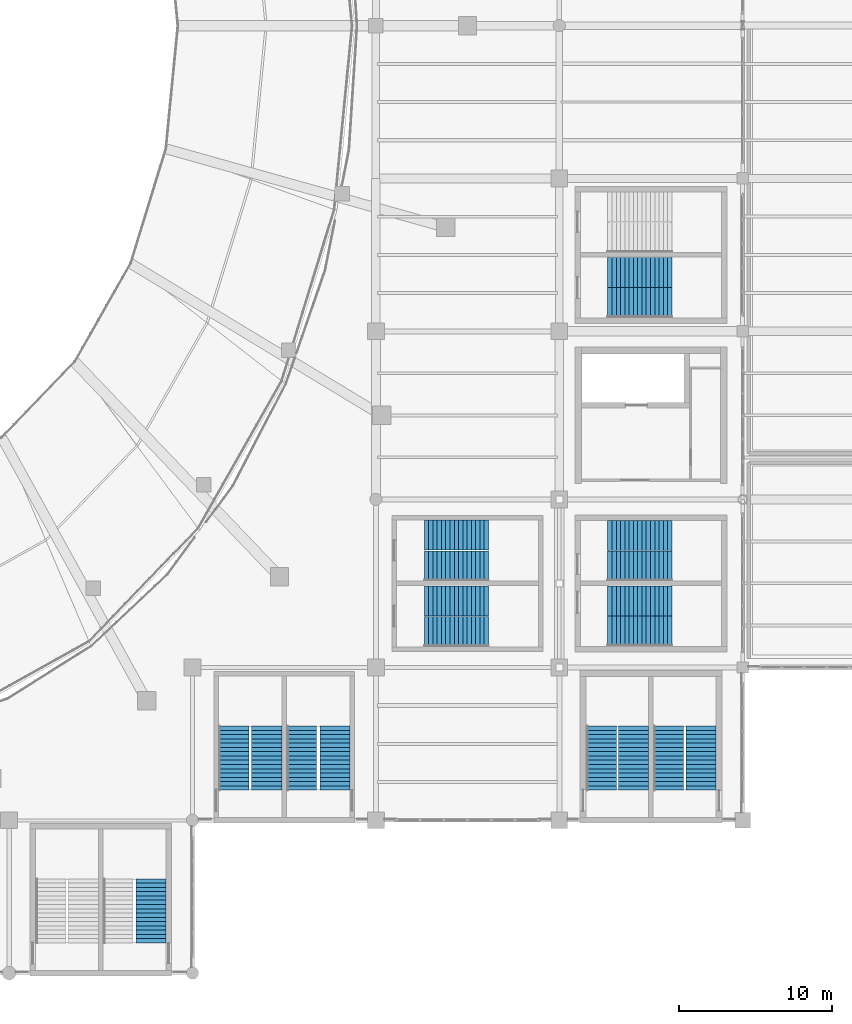
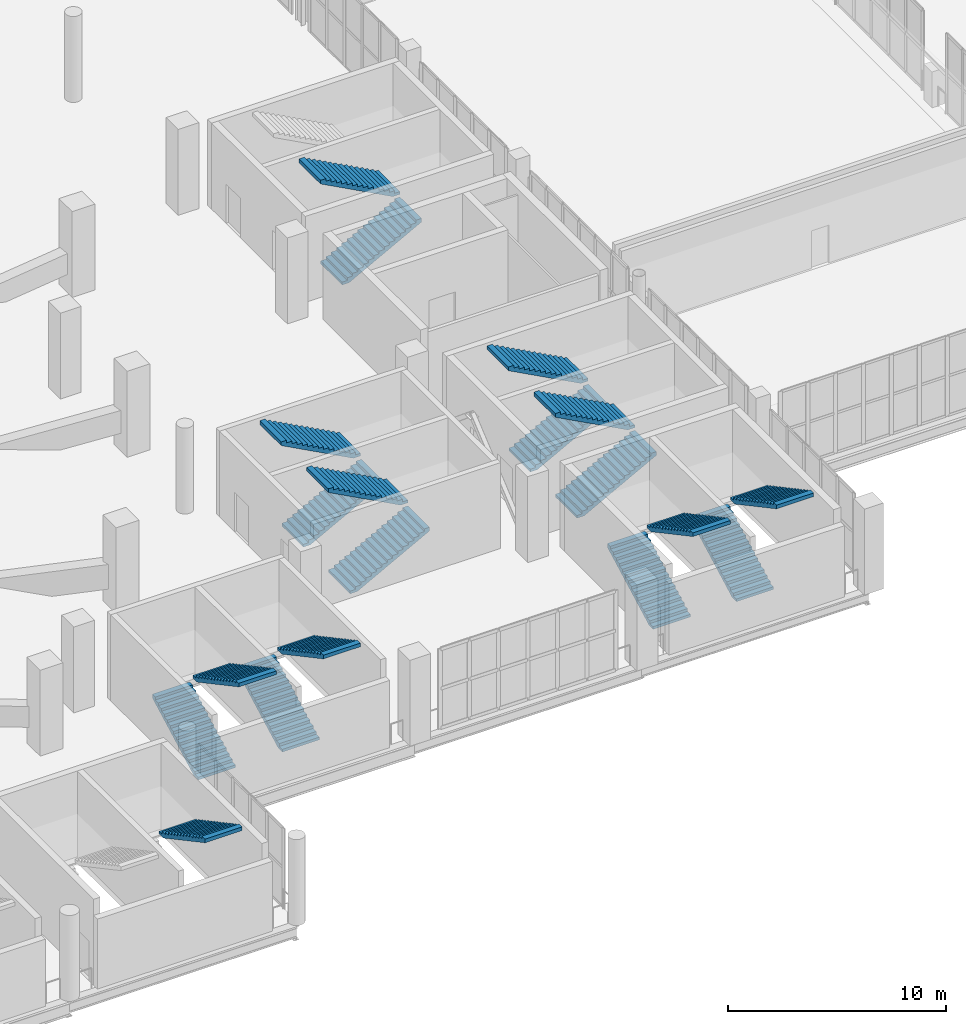
# One storey, part 117 of 136: 19 stair flights, 10 elements without a shape of their own.
"""IFC4 building model written with IfcOpenShell, lengths in metres."""

from ifc_helpers import new_model, si_unit, direction, frame, origin, place, context, subcontext, project, spatial, polyline, outline, extrude, material, layer, layer_set, type_object, element, aggregate, save


model = new_model("IFC4")

# Units and contexts
model_context = context("Model", 3, precision=1e-05, world=origin(), true_north=direction((0.0, 1.0)))
body_context = subcontext(model_context, "Body", "Model", "MODEL_VIEW")
ifc_project = project(units=[si_unit("LENGTHUNIT", "METRE"), si_unit("AREAUNIT", "SQUARE_METRE"), si_unit("VOLUMEUNIT", "CUBIC_METRE"), si_unit("PLANEANGLEUNIT", "RADIAN"), si_unit("MASSUNIT", "GRAM", prefix="KILO")], contexts=[model_context])

# Site, building, storey
site_placement = place(None, origin())
site = spatial("IfcSite", under=ifc_project, at=site_placement, CompositionType="ELEMENT")
building_placement = place(site_placement, origin())
building = spatial("IfcBuilding", under=site, at=building_placement, Name="Brinegate Civic Arena", CompositionType="ELEMENT")
storey_placement = place(building_placement, frame((0.0, 0.0, 5.39990234375)))
storey = spatial("IfcBuildingStorey", under=building, at=storey_placement, Name="L01", CompositionType="ELEMENT", Elevation=5.39990234375)

# Stair, stair flight
ifc_material = material(Name="Concrete C40/50", Category="concrete")
stair_type_1 = type_object("IfcStairType", Name="STAIR-EXIT-3700", PredefinedType="HALF_TURN_STAIR", material=ifc_material)
stair_1_placement = place(storey_placement, origin())
stair_1 = element("IfcStair", 1, at=stair_1_placement, inside=storey, type_object=stair_type_1, Name="Protected Exit Stair ST-04B (L01)", PredefinedType="HALF_TURN_STAIR")
ifc_layer_1 = layer(ifc_material, 0.179931640625, Name="Concrete C40/50")
ifc_layer_set_1 = layer_set([ifc_layer_1], Name="Concrete C40/50")
stair_flight_type_1 = type_object("IfcStairFlightType", Name="FLIGHT-EXIT-3700", PredefinedType="STRAIGHT", material=ifc_layer_set_1)
stair_flight_1_placement = place(storey_placement, frame((129.280029296875, 6.169921875, 2.400146484375), z_axis=(0.0, 0.0, 1.0), x_axis=(0.0, -1.0, 0.0)))
stair_flight_1 = element("IfcStairFlight", 2, at=stair_flight_1_placement, type_object=stair_flight_type_1, Name="ST-04B flight 2", NumberOfRisers=16, NumberOfTreads=15, PredefinedType="STRAIGHT", RiserHeight=0.15, TreadLength=0.28, context=body_context, shape_type="SweptSolid", body=[
    extrude(outline(polyline([(0.0, 0.0), (0.0, 0.14990234375), (0.280029296875, 0.14990234375), (0.280029296875, 0.300048828125), (0.56005859375, 0.300048828125), (0.56005859375, 0.449951171875), (0.840087890625, 0.449951171875), (0.840087890625, 0.60009765625), (1.1201171875, 0.60009765625), (1.1201171875, 0.75), (1.39990234375, 0.75), (1.39990234375, 0.89990234375), (1.679931640625, 0.89990234375), (1.679931640625, 1.050048828125), (1.9599609375, 1.050048828125), (1.9599609375, 1.199951171875), (2.239990234375, 1.199951171875), (2.239990234375, 1.35009765625), (2.52001953125, 1.35009765625), (2.52001953125, 1.5), (2.800048828125, 1.5), (2.800048828125, 1.64990234375), (3.080078125, 1.64990234375), (3.080078125, 1.800048828125), (3.360107421875, 1.800048828125), (3.360107421875, 1.949951171875), (3.639892578125, 1.949951171875), (3.639892578125, 2.10009765625), (3.919921875, 2.10009765625), (3.919921875, 2.25), (4.199951171875, 2.25), (4.199951171875, 2.39990234375), (4.199951171875, 2.0458984375), (0.381103515625, 0.0), (0.0, 0.0)])), frame((0.0, 0.97998046875, 0.0), z_axis=(0.0, -1.0, 0.0), x_axis=(1.0, 0.0, 0.0)), (0.0, 0.0, 1.0), 1.9599609375),
])
aggregate(stair_1, [stair_flight_1])

# Stair, stair flights
stair_2_placement = place(storey_placement, origin())
stair_2 = element("IfcStair", 3, at=stair_2_placement, inside=storey, type_object=stair_type_1, Name="Protected Exit Stair ST-06B (L01)", PredefinedType="HALF_TURN_STAIR")
stair_flight_2_placement = place(storey_placement, frame((163.139892578125, 11.969970703125, 0.0), z_axis=(0.0, 0.0, 1.0), x_axis=(0.0, 1.0, 0.0)))
stair_flight_2 = element("IfcStairFlight", 4, at=stair_flight_2_placement, type_object=stair_flight_type_1, Name="ST-06B flight 1", NumberOfRisers=16, NumberOfTreads=15, PredefinedType="STRAIGHT", RiserHeight=0.15, TreadLength=0.28, context=body_context, shape_type="SweptSolid", body=[
    extrude(outline(polyline([(0.0, 0.0), (0.0, 0.14990234375), (0.280029296875, 0.14990234375), (0.280029296875, 0.300048828125), (0.56005859375, 0.300048828125), (0.56005859375, 0.449951171875), (0.840087890625, 0.449951171875), (0.840087890625, 0.60009765625), (1.1201171875, 0.60009765625), (1.1201171875, 0.75), (1.39990234375, 0.75), (1.39990234375, 0.89990234375), (1.679931640625, 0.89990234375), (1.679931640625, 1.050048828125), (1.9599609375, 1.050048828125), (1.9599609375, 1.199951171875), (2.239990234375, 1.199951171875), (2.239990234375, 1.35009765625), (2.52001953125, 1.35009765625), (2.52001953125, 1.5), (2.800048828125, 1.5), (2.800048828125, 1.64990234375), (3.080078125, 1.64990234375), (3.080078125, 1.800048828125), (3.360107421875, 1.800048828125), (3.360107421875, 1.949951171875), (3.639892578125, 1.949951171875), (3.639892578125, 2.10009765625), (3.919921875, 2.10009765625), (3.919921875, 2.25), (4.199951171875, 2.25), (4.199951171875, 2.39990234375), (4.199951171875, 2.0458984375), (0.381103515625, 0.0), (0.0, 0.0)])), frame((0.0, 0.97998046875, 0.0), z_axis=(0.0, -1.0, 0.0), x_axis=(1.0, 0.0, 0.0)), (0.0, 0.0, 1.0), 1.9599609375),
])
stair_flight_3_placement = place(storey_placement, frame((165.260009765625, 16.169921875, 2.400146484375), z_axis=(0.0, 0.0, 1.0), x_axis=(0.0, -1.0, 0.0)))
stair_flight_3 = element("IfcStairFlight", 5, at=stair_flight_3_placement, type_object=stair_flight_type_1, Name="ST-06B flight 2", NumberOfRisers=16, NumberOfTreads=15, PredefinedType="STRAIGHT", RiserHeight=0.15, TreadLength=0.28, context=body_context, shape_type="SweptSolid", body=[
    extrude(outline(polyline([(0.0, 0.0), (0.0, 0.14990234375), (0.280029296875, 0.14990234375), (0.280029296875, 0.300048828125), (0.56005859375, 0.300048828125), (0.56005859375, 0.449951171875), (0.840087890625, 0.449951171875), (0.840087890625, 0.60009765625), (1.1201171875, 0.60009765625), (1.1201171875, 0.75), (1.39990234375, 0.75), (1.39990234375, 0.89990234375), (1.679931640625, 0.89990234375), (1.679931640625, 1.050048828125), (1.9599609375, 1.050048828125), (1.9599609375, 1.199951171875), (2.239990234375, 1.199951171875), (2.239990234375, 1.35009765625), (2.52001953125, 1.35009765625), (2.52001953125, 1.5), (2.800048828125, 1.5), (2.800048828125, 1.64990234375), (3.080078125, 1.64990234375), (3.080078125, 1.800048828125), (3.360107421875, 1.800048828125), (3.360107421875, 1.949951171875), (3.639892578125, 1.949951171875), (3.639892578125, 2.10009765625), (3.919921875, 2.10009765625), (3.919921875, 2.25), (4.199951171875, 2.25), (4.199951171875, 2.39990234375), (4.199951171875, 2.0458984375), (0.381103515625, 0.0), (0.0, 0.0)])), frame((0.0, 0.97998046875, 0.0), z_axis=(0.0, -1.0, 0.0), x_axis=(1.0, 0.0, 0.0)), (0.0, 0.0, 1.0), 1.9599609375),
])
aggregate(stair_2, [stair_flight_2, stair_flight_3])

stair_3_placement = place(storey_placement, origin())
stair_3 = element("IfcStair", 6, at=stair_3_placement, inside=storey, type_object=stair_type_1, Name="Protected Exit Stair ST-14B (L01)", PredefinedType="HALF_TURN_STAIR")
stair_flight_4_placement = place(storey_placement, frame((139.139892578125, 11.969970703125, 0.0), z_axis=(0.0, 0.0, 1.0), x_axis=(0.0, 1.0, 0.0)))
stair_flight_4 = element("IfcStairFlight", 7, at=stair_flight_4_placement, type_object=stair_flight_type_1, Name="ST-14B flight 1", NumberOfRisers=16, NumberOfTreads=15, PredefinedType="STRAIGHT", RiserHeight=0.15, TreadLength=0.28, context=body_context, shape_type="SweptSolid", body=[
    extrude(outline(polyline([(0.0, 0.0), (0.0, 0.14990234375), (0.280029296875, 0.14990234375), (0.280029296875, 0.300048828125), (0.56005859375, 0.300048828125), (0.56005859375, 0.449951171875), (0.840087890625, 0.449951171875), (0.840087890625, 0.60009765625), (1.1201171875, 0.60009765625), (1.1201171875, 0.75), (1.39990234375, 0.75), (1.39990234375, 0.89990234375), (1.679931640625, 0.89990234375), (1.679931640625, 1.050048828125), (1.9599609375, 1.050048828125), (1.9599609375, 1.199951171875), (2.239990234375, 1.199951171875), (2.239990234375, 1.35009765625), (2.52001953125, 1.35009765625), (2.52001953125, 1.5), (2.800048828125, 1.5), (2.800048828125, 1.64990234375), (3.080078125, 1.64990234375), (3.080078125, 1.800048828125), (3.360107421875, 1.800048828125), (3.360107421875, 1.949951171875), (3.639892578125, 1.949951171875), (3.639892578125, 2.10009765625), (3.919921875, 2.10009765625), (3.919921875, 2.25), (4.199951171875, 2.25), (4.199951171875, 2.39990234375), (4.199951171875, 2.0458984375), (0.381103515625, 0.0), (0.0, 0.0)])), frame((0.0, 0.97998046875, 0.0), z_axis=(0.0, -1.0, 0.0), x_axis=(1.0, 0.0, 0.0)), (0.0, 0.0, 1.0), 1.9599609375),
])
stair_flight_5_placement = place(storey_placement, frame((141.31005859375, 16.169921875, 2.400146484375), z_axis=(0.0, 0.0, 1.0), x_axis=(0.0, -1.0, 0.0)))
stair_flight_5 = element("IfcStairFlight", 8, at=stair_flight_5_placement, type_object=stair_flight_type_1, Name="ST-14B flight 2", NumberOfRisers=16, NumberOfTreads=15, PredefinedType="STRAIGHT", RiserHeight=0.15, TreadLength=0.28, context=body_context, shape_type="SweptSolid", body=[
    extrude(outline(polyline([(0.0, 0.0), (0.0, 0.14990234375), (0.280029296875, 0.14990234375), (0.280029296875, 0.300048828125), (0.56005859375, 0.300048828125), (0.56005859375, 0.449951171875), (0.840087890625, 0.449951171875), (0.840087890625, 0.60009765625), (1.1201171875, 0.60009765625), (1.1201171875, 0.75), (1.39990234375, 0.75), (1.39990234375, 0.89990234375), (1.679931640625, 0.89990234375), (1.679931640625, 1.050048828125), (1.9599609375, 1.050048828125), (1.9599609375, 1.199951171875), (2.239990234375, 1.199951171875), (2.239990234375, 1.35009765625), (2.52001953125, 1.35009765625), (2.52001953125, 1.5), (2.800048828125, 1.5), (2.800048828125, 1.64990234375), (3.080078125, 1.64990234375), (3.080078125, 1.800048828125), (3.360107421875, 1.800048828125), (3.360107421875, 1.949951171875), (3.639892578125, 1.949951171875), (3.639892578125, 2.10009765625), (3.919921875, 2.10009765625), (3.919921875, 2.25), (4.199951171875, 2.25), (4.199951171875, 2.39990234375), (4.199951171875, 2.0458984375), (0.381103515625, 0.0), (0.0, 0.0)])), frame((0.0, 0.97998046875, 0.0), z_axis=(0.0, -1.0, 0.0), x_axis=(1.0, 0.0, 0.0)), (0.0, 0.0, 1.0), 1.9599609375),
])
aggregate(stair_3, [stair_flight_4, stair_flight_5])

stair_4_placement = place(storey_placement, origin())
stair_4 = element("IfcStair", 9, at=stair_4_placement, inside=storey, type_object=stair_type_1, Name="Protected Exit Stair ST-17B (L01)", PredefinedType="HALF_TURN_STAIR")
stair_flight_6_placement = place(storey_placement, frame((147.169921875, 26.639892578125, 0.0), z_axis=(0.0, 0.0, 1.0), x_axis=(1.0, 0.0, 0.0)))
stair_flight_6 = element("IfcStairFlight", 10, at=stair_flight_6_placement, type_object=stair_flight_type_1, Name="ST-17B flight 1", NumberOfRisers=16, NumberOfTreads=15, PredefinedType="STRAIGHT", RiserHeight=0.15, TreadLength=0.28, context=body_context, shape_type="SweptSolid", body=[
    extrude(outline(polyline([(0.0, 0.0), (0.0, 0.14990234375), (0.280029296875, 0.14990234375), (0.280029296875, 0.300048828125), (0.56005859375, 0.300048828125), (0.56005859375, 0.449951171875), (0.840087890625, 0.449951171875), (0.840087890625, 0.60009765625), (1.1201171875, 0.60009765625), (1.1201171875, 0.75), (1.39990234375, 0.75), (1.39990234375, 0.89990234375), (1.679931640625, 0.89990234375), (1.679931640625, 1.050048828125), (1.9599609375, 1.050048828125), (1.9599609375, 1.199951171875), (2.239990234375, 1.199951171875), (2.239990234375, 1.35009765625), (2.52001953125, 1.35009765625), (2.52001953125, 1.5), (2.800048828125, 1.5), (2.800048828125, 1.64990234375), (3.080078125, 1.64990234375), (3.080078125, 1.800048828125), (3.360107421875, 1.800048828125), (3.360107421875, 1.949951171875), (3.639892578125, 1.949951171875), (3.639892578125, 2.10009765625), (3.919921875, 2.10009765625), (3.919921875, 2.25), (4.199951171875, 2.25), (4.199951171875, 2.39990234375), (4.199951171875, 2.0458984375), (0.381103515625, 0.0), (0.0, 0.0)])), frame((0.0, 0.97998046875, 0.0), z_axis=(0.0, -1.0, 0.0), x_axis=(1.0, 0.0, 0.0)), (0.0, 0.0, 1.0), 1.9599609375),
])
stair_flight_7_placement = place(storey_placement, frame((151.3701171875, 28.659912109375, 2.400146484375), z_axis=(0.0, 0.0, 1.0), x_axis=(-1.0, 0.0, 0.0)))
stair_flight_7 = element("IfcStairFlight", 11, at=stair_flight_7_placement, type_object=stair_flight_type_1, Name="ST-17B flight 2", NumberOfRisers=16, NumberOfTreads=15, PredefinedType="STRAIGHT", RiserHeight=0.15, TreadLength=0.28, context=body_context, shape_type="SweptSolid", body=[
    extrude(outline(polyline([(0.0, 0.0), (0.0, 0.14990234375), (0.280029296875, 0.14990234375), (0.280029296875, 0.300048828125), (0.56005859375, 0.300048828125), (0.56005859375, 0.449951171875), (0.840087890625, 0.449951171875), (0.840087890625, 0.60009765625), (1.1201171875, 0.60009765625), (1.1201171875, 0.75), (1.39990234375, 0.75), (1.39990234375, 0.89990234375), (1.679931640625, 0.89990234375), (1.679931640625, 1.050048828125), (1.9599609375, 1.050048828125), (1.9599609375, 1.199951171875), (2.239990234375, 1.199951171875), (2.239990234375, 1.35009765625), (2.52001953125, 1.35009765625), (2.52001953125, 1.5), (2.800048828125, 1.5), (2.800048828125, 1.64990234375), (3.080078125, 1.64990234375), (3.080078125, 1.800048828125), (3.360107421875, 1.800048828125), (3.360107421875, 1.949951171875), (3.639892578125, 1.949951171875), (3.639892578125, 2.10009765625), (3.919921875, 2.10009765625), (3.919921875, 2.25), (4.199951171875, 2.25), (4.199951171875, 2.39990234375), (4.199951171875, 2.0458984375), (0.381103515625, 0.0), (0.0, 0.0)])), frame((0.0, 0.97998046875, 0.0), z_axis=(0.0, -1.0, 0.0), x_axis=(1.0, 0.0, 0.0)), (0.0, 0.0, 1.0), 1.9599609375),
])
aggregate(stair_4, [stair_flight_6, stair_flight_7])

stair_5_placement = place(storey_placement, origin())
stair_5 = element("IfcStair", 12, at=stair_5_placement, inside=storey, type_object=stair_type_1, Name="Protected Exit Stair ST-19B (L01)", PredefinedType="HALF_TURN_STAIR")
stair_flight_8_placement = place(storey_placement, frame((159.169921875, 26.639892578125, 0.0), z_axis=(0.0, 0.0, 1.0), x_axis=(1.0, 0.0, 0.0)))
stair_flight_8 = element("IfcStairFlight", 13, at=stair_flight_8_placement, type_object=stair_flight_type_1, Name="ST-19B flight 1", NumberOfRisers=16, NumberOfTreads=15, PredefinedType="STRAIGHT", RiserHeight=0.15, TreadLength=0.28, context=body_context, shape_type="SweptSolid", body=[
    extrude(outline(polyline([(0.0, 0.0), (0.0, 0.14990234375), (0.280029296875, 0.14990234375), (0.280029296875, 0.300048828125), (0.56005859375, 0.300048828125), (0.56005859375, 0.449951171875), (0.840087890625, 0.449951171875), (0.840087890625, 0.60009765625), (1.1201171875, 0.60009765625), (1.1201171875, 0.75), (1.39990234375, 0.75), (1.39990234375, 0.89990234375), (1.679931640625, 0.89990234375), (1.679931640625, 1.050048828125), (1.9599609375, 1.050048828125), (1.9599609375, 1.199951171875), (2.239990234375, 1.199951171875), (2.239990234375, 1.35009765625), (2.52001953125, 1.35009765625), (2.52001953125, 1.5), (2.800048828125, 1.5), (2.800048828125, 1.64990234375), (3.080078125, 1.64990234375), (3.080078125, 1.800048828125), (3.360107421875, 1.800048828125), (3.360107421875, 1.949951171875), (3.639892578125, 1.949951171875), (3.639892578125, 2.10009765625), (3.919921875, 2.10009765625), (3.919921875, 2.25), (4.199951171875, 2.25), (4.199951171875, 2.39990234375), (4.199951171875, 2.0458984375), (0.381103515625, 0.0), (0.0, 0.0)])), frame((0.0, 0.97998046875, 0.0), z_axis=(0.0, -1.0, 0.0), x_axis=(1.0, 0.0, 0.0)), (0.0, 0.0, 1.0), 1.9599609375),
])
stair_flight_9_placement = place(storey_placement, frame((163.3701171875, 28.6298828125, 2.400146484375), z_axis=(0.0, 0.0, 1.0), x_axis=(-1.0, 0.0, 0.0)))
stair_flight_9 = element("IfcStairFlight", 14, at=stair_flight_9_placement, type_object=stair_flight_type_1, Name="ST-19B flight 2", NumberOfRisers=16, NumberOfTreads=15, PredefinedType="STRAIGHT", RiserHeight=0.15, TreadLength=0.28, context=body_context, shape_type="SweptSolid", body=[
    extrude(outline(polyline([(0.0, 0.0), (0.0, 0.14990234375), (0.280029296875, 0.14990234375), (0.280029296875, 0.300048828125), (0.56005859375, 0.300048828125), (0.56005859375, 0.449951171875), (0.840087890625, 0.449951171875), (0.840087890625, 0.60009765625), (1.1201171875, 0.60009765625), (1.1201171875, 0.75), (1.39990234375, 0.75), (1.39990234375, 0.89990234375), (1.679931640625, 0.89990234375), (1.679931640625, 1.050048828125), (1.9599609375, 1.050048828125), (1.9599609375, 1.199951171875), (2.239990234375, 1.199951171875), (2.239990234375, 1.35009765625), (2.52001953125, 1.35009765625), (2.52001953125, 1.5), (2.800048828125, 1.5), (2.800048828125, 1.64990234375), (3.080078125, 1.64990234375), (3.080078125, 1.800048828125), (3.360107421875, 1.800048828125), (3.360107421875, 1.949951171875), (3.639892578125, 1.949951171875), (3.639892578125, 2.10009765625), (3.919921875, 2.10009765625), (3.919921875, 2.25), (4.199951171875, 2.25), (4.199951171875, 2.39990234375), (4.199951171875, 2.0458984375), (0.381103515625, 0.0), (0.0, 0.0)])), frame((0.0, 0.97998046875, 0.0), z_axis=(0.0, -1.0, 0.0), x_axis=(1.0, 0.0, 0.0)), (0.0, 0.0, 1.0), 1.9599609375),
])
aggregate(stair_5, [stair_flight_8, stair_flight_9])

stair_type_2 = type_object("IfcStairType", Name="STAIR-EXIT-3850", PredefinedType="HALF_TURN_STAIR", material=ifc_material)
stair_6_placement = place(storey_placement, origin())
stair_6 = element("IfcStair", 15, at=stair_6_placement, inside=storey, type_object=stair_type_2, Name="Protected Exit Stair ST-06A (L01)", PredefinedType="HALF_TURN_STAIR")
ifc_layer_2 = layer(ifc_material, 0.179931640625, Name="Concrete C40/50")
ifc_layer_set_2 = layer_set([ifc_layer_2], Name="Concrete C40/50")
stair_flight_type_2 = type_object("IfcStairFlightType", Name="FLIGHT-EXIT-3850", PredefinedType="STRAIGHT", material=ifc_layer_set_2)
stair_flight_10_placement = place(storey_placement, frame((158.75, 11.969970703125, 0.0), z_axis=(0.0, 0.0, 1.0), x_axis=(0.0, 1.0, 0.0)))
stair_flight_10 = element("IfcStairFlight", 16, at=stair_flight_10_placement, type_object=stair_flight_type_2, Name="ST-06A flight 1", NumberOfRisers=16, NumberOfTreads=15, PredefinedType="STRAIGHT", RiserHeight=0.15, TreadLength=0.28, context=body_context, shape_type="SweptSolid", body=[
    extrude(outline(polyline([(0.0, 0.0), (0.0, 0.14990234375), (0.280029296875, 0.14990234375), (0.280029296875, 0.300048828125), (0.56005859375, 0.300048828125), (0.56005859375, 0.449951171875), (0.840087890625, 0.449951171875), (0.840087890625, 0.60009765625), (1.1201171875, 0.60009765625), (1.1201171875, 0.75), (1.39990234375, 0.75), (1.39990234375, 0.89990234375), (1.679931640625, 0.89990234375), (1.679931640625, 1.050048828125), (1.9599609375, 1.050048828125), (1.9599609375, 1.199951171875), (2.239990234375, 1.199951171875), (2.239990234375, 1.35009765625), (2.52001953125, 1.35009765625), (2.52001953125, 1.5), (2.800048828125, 1.5), (2.800048828125, 1.64990234375), (3.080078125, 1.64990234375), (3.080078125, 1.800048828125), (3.360107421875, 1.800048828125), (3.360107421875, 1.949951171875), (3.639892578125, 1.949951171875), (3.639892578125, 2.10009765625), (3.919921875, 2.10009765625), (3.919921875, 2.25), (4.199951171875, 2.25), (4.199951171875, 2.39990234375), (4.199951171875, 2.0458984375), (0.381103515625, 0.0), (0.0, 0.0)])), frame((0.0, 0.989990234375, 0.0), z_axis=(0.0, -1.0, 0.0), x_axis=(1.0, 0.0, 0.0)), (0.0, 0.0, 1.0), 1.97998046875),
])
stair_flight_11_placement = place(storey_placement, frame((160.85009765625, 16.169921875, 2.400146484375), z_axis=(0.0, 0.0, 1.0), x_axis=(0.0, -1.0, 0.0)))
stair_flight_11 = element("IfcStairFlight", 17, at=stair_flight_11_placement, type_object=stair_flight_type_2, Name="ST-06A flight 2", NumberOfRisers=16, NumberOfTreads=15, PredefinedType="STRAIGHT", RiserHeight=0.15, TreadLength=0.28, context=body_context, shape_type="SweptSolid", body=[
    extrude(outline(polyline([(0.0, 0.0), (0.0, 0.14990234375), (0.280029296875, 0.14990234375), (0.280029296875, 0.300048828125), (0.56005859375, 0.300048828125), (0.56005859375, 0.449951171875), (0.840087890625, 0.449951171875), (0.840087890625, 0.60009765625), (1.1201171875, 0.60009765625), (1.1201171875, 0.75), (1.39990234375, 0.75), (1.39990234375, 0.89990234375), (1.679931640625, 0.89990234375), (1.679931640625, 1.050048828125), (1.9599609375, 1.050048828125), (1.9599609375, 1.199951171875), (2.239990234375, 1.199951171875), (2.239990234375, 1.35009765625), (2.52001953125, 1.35009765625), (2.52001953125, 1.5), (2.800048828125, 1.5), (2.800048828125, 1.64990234375), (3.080078125, 1.64990234375), (3.080078125, 1.800048828125), (3.360107421875, 1.800048828125), (3.360107421875, 1.949951171875), (3.639892578125, 1.949951171875), (3.639892578125, 2.10009765625), (3.919921875, 2.10009765625), (3.919921875, 2.25), (4.199951171875, 2.25), (4.199951171875, 2.39990234375), (4.199951171875, 2.0458984375), (0.381103515625, 0.0), (0.0, 0.0)])), frame((0.0, 0.989990234375, 0.0), z_axis=(0.0, -1.0, 0.0), x_axis=(1.0, 0.0, 0.0)), (0.0, 0.0, 1.0), 1.97998046875),
])
aggregate(stair_6, [stair_flight_10, stair_flight_11])

stair_7_placement = place(storey_placement, origin())
stair_7 = element("IfcStair", 18, at=stair_7_placement, inside=storey, type_object=stair_type_2, Name="Protected Exit Stair ST-10A (L01)", PredefinedType="HALF_TURN_STAIR")
stair_flight_12_placement = place(storey_placement, frame((159.169921875, 43.8779296875, 0.0), z_axis=(0.0, 0.0, 1.0), x_axis=(1.0, 0.0, 0.0)))
stair_flight_12 = element("IfcStairFlight", 19, at=stair_flight_12_placement, type_object=stair_flight_type_2, Name="ST-10A flight 1", NumberOfRisers=16, NumberOfTreads=15, PredefinedType="STRAIGHT", RiserHeight=0.15, TreadLength=0.28, context=body_context, shape_type="SweptSolid", body=[
    extrude(outline(polyline([(0.0, 0.0), (0.0, 0.14990234375), (0.280029296875, 0.14990234375), (0.280029296875, 0.300048828125), (0.56005859375, 0.300048828125), (0.56005859375, 0.449951171875), (0.840087890625, 0.449951171875), (0.840087890625, 0.60009765625), (1.1201171875, 0.60009765625), (1.1201171875, 0.75), (1.39990234375, 0.75), (1.39990234375, 0.89990234375), (1.679931640625, 0.89990234375), (1.679931640625, 1.050048828125), (1.9599609375, 1.050048828125), (1.9599609375, 1.199951171875), (2.239990234375, 1.199951171875), (2.239990234375, 1.35009765625), (2.52001953125, 1.35009765625), (2.52001953125, 1.5), (2.800048828125, 1.5), (2.800048828125, 1.64990234375), (3.080078125, 1.64990234375), (3.080078125, 1.800048828125), (3.360107421875, 1.800048828125), (3.360107421875, 1.949951171875), (3.639892578125, 1.949951171875), (3.639892578125, 2.10009765625), (3.919921875, 2.10009765625), (3.919921875, 2.25), (4.199951171875, 2.25), (4.199951171875, 2.39990234375), (4.199951171875, 2.0458984375), (0.381103515625, 0.0), (0.0, 0.0)])), frame((0.0, 0.987548828125, 0.0), z_axis=(0.0, -1.0, 0.0), x_axis=(1.0, 0.0, 0.0)), (0.0, 0.0, 1.0), 1.97509765625),
])
stair_flight_13_placement = place(storey_placement, frame((163.3701171875, 45.85302734375, 2.400146484375), z_axis=(0.0, 0.0, 1.0), x_axis=(-1.0, 0.0, 0.0)))
stair_flight_13 = element("IfcStairFlight", 20, at=stair_flight_13_placement, type_object=stair_flight_type_2, Name="ST-10A flight 2", NumberOfRisers=16, NumberOfTreads=15, PredefinedType="STRAIGHT", RiserHeight=0.15, TreadLength=0.28, context=body_context, shape_type="SweptSolid", body=[
    extrude(outline(polyline([(0.0, 0.0), (0.0, 0.14990234375), (0.280029296875, 0.14990234375), (0.280029296875, 0.300048828125), (0.56005859375, 0.300048828125), (0.56005859375, 0.449951171875), (0.840087890625, 0.449951171875), (0.840087890625, 0.60009765625), (1.1201171875, 0.60009765625), (1.1201171875, 0.75), (1.39990234375, 0.75), (1.39990234375, 0.89990234375), (1.679931640625, 0.89990234375), (1.679931640625, 1.050048828125), (1.9599609375, 1.050048828125), (1.9599609375, 1.199951171875), (2.239990234375, 1.199951171875), (2.239990234375, 1.35009765625), (2.52001953125, 1.35009765625), (2.52001953125, 1.5), (2.800048828125, 1.5), (2.800048828125, 1.64990234375), (3.080078125, 1.64990234375), (3.080078125, 1.800048828125), (3.360107421875, 1.800048828125), (3.360107421875, 1.949951171875), (3.639892578125, 1.949951171875), (3.639892578125, 2.10009765625), (3.919921875, 2.10009765625), (3.919921875, 2.25), (4.199951171875, 2.25), (4.199951171875, 2.39990234375), (4.199951171875, 2.0458984375), (0.381103515625, 0.0), (0.0, 0.0)])), frame((0.0, 0.987548828125, 0.0), z_axis=(0.0, -1.0, 0.0), x_axis=(1.0, 0.0, 0.0)), (0.0, 0.0, 1.0), 1.97509765625),
])
aggregate(stair_7, [stair_flight_12, stair_flight_13])

stair_8_placement = place(storey_placement, origin())
stair_8 = element("IfcStair", 21, at=stair_8_placement, inside=storey, type_object=stair_type_2, Name="Protected Exit Stair ST-14A (L01)", PredefinedType="HALF_TURN_STAIR")
stair_flight_14_placement = place(storey_placement, frame((134.699951171875, 11.969970703125, 0.0), z_axis=(0.0, 0.0, 1.0), x_axis=(0.0, 1.0, 0.0)))
stair_flight_14 = element("IfcStairFlight", 22, at=stair_flight_14_placement, type_object=stair_flight_type_2, Name="ST-14A flight 1", NumberOfRisers=16, NumberOfTreads=15, PredefinedType="STRAIGHT", RiserHeight=0.15, TreadLength=0.28, context=body_context, shape_type="SweptSolid", body=[
    extrude(outline(polyline([(0.0, 0.0), (0.0, 0.14990234375), (0.280029296875, 0.14990234375), (0.280029296875, 0.300048828125), (0.56005859375, 0.300048828125), (0.56005859375, 0.449951171875), (0.840087890625, 0.449951171875), (0.840087890625, 0.60009765625), (1.1201171875, 0.60009765625), (1.1201171875, 0.75), (1.39990234375, 0.75), (1.39990234375, 0.89990234375), (1.679931640625, 0.89990234375), (1.679931640625, 1.050048828125), (1.9599609375, 1.050048828125), (1.9599609375, 1.199951171875), (2.239990234375, 1.199951171875), (2.239990234375, 1.35009765625), (2.52001953125, 1.35009765625), (2.52001953125, 1.5), (2.800048828125, 1.5), (2.800048828125, 1.64990234375), (3.080078125, 1.64990234375), (3.080078125, 1.800048828125), (3.360107421875, 1.800048828125), (3.360107421875, 1.949951171875), (3.639892578125, 1.949951171875), (3.639892578125, 2.10009765625), (3.919921875, 2.10009765625), (3.919921875, 2.25), (4.199951171875, 2.25), (4.199951171875, 2.39990234375), (4.199951171875, 2.0458984375), (0.381103515625, 0.0), (0.0, 0.0)])), frame((0.0, 0.989990234375, 0.0), z_axis=(0.0, -1.0, 0.0), x_axis=(1.0, 0.0, 0.0)), (0.0, 0.0, 1.0), 1.97998046875),
])
stair_flight_15_placement = place(storey_placement, frame((136.85009765625, 16.169921875, 2.400146484375), z_axis=(0.0, 0.0, 1.0), x_axis=(0.0, -1.0, 0.0)))
stair_flight_15 = element("IfcStairFlight", 23, at=stair_flight_15_placement, type_object=stair_flight_type_2, Name="ST-14A flight 2", NumberOfRisers=16, NumberOfTreads=15, PredefinedType="STRAIGHT", RiserHeight=0.15, TreadLength=0.28, context=body_context, shape_type="SweptSolid", body=[
    extrude(outline(polyline([(0.0, 0.0), (0.0, 0.14990234375), (0.280029296875, 0.14990234375), (0.280029296875, 0.300048828125), (0.56005859375, 0.300048828125), (0.56005859375, 0.449951171875), (0.840087890625, 0.449951171875), (0.840087890625, 0.60009765625), (1.1201171875, 0.60009765625), (1.1201171875, 0.75), (1.39990234375, 0.75), (1.39990234375, 0.89990234375), (1.679931640625, 0.89990234375), (1.679931640625, 1.050048828125), (1.9599609375, 1.050048828125), (1.9599609375, 1.199951171875), (2.239990234375, 1.199951171875), (2.239990234375, 1.35009765625), (2.52001953125, 1.35009765625), (2.52001953125, 1.5), (2.800048828125, 1.5), (2.800048828125, 1.64990234375), (3.080078125, 1.64990234375), (3.080078125, 1.800048828125), (3.360107421875, 1.800048828125), (3.360107421875, 1.949951171875), (3.639892578125, 1.949951171875), (3.639892578125, 2.10009765625), (3.919921875, 2.10009765625), (3.919921875, 2.25), (4.199951171875, 2.25), (4.199951171875, 2.39990234375), (4.199951171875, 2.0458984375), (0.381103515625, 0.0), (0.0, 0.0)])), frame((0.0, 0.989990234375, 0.0), z_axis=(0.0, -1.0, 0.0), x_axis=(1.0, 0.0, 0.0)), (0.0, 0.0, 1.0), 1.97998046875),
])
aggregate(stair_8, [stair_flight_14, stair_flight_15])

stair_9_placement = place(storey_placement, origin())
stair_9 = element("IfcStair", 24, at=stair_9_placement, inside=storey, type_object=stair_type_2, Name="Protected Exit Stair ST-17A (L01)", PredefinedType="HALF_TURN_STAIR")
stair_flight_16_placement = place(storey_placement, frame((147.169921875, 22.35009765625, 0.0), z_axis=(0.0, 0.0, 1.0), x_axis=(1.0, 0.0, 0.0)))
stair_flight_16 = element("IfcStairFlight", 25, at=stair_flight_16_placement, type_object=stair_flight_type_2, Name="ST-17A flight 1", NumberOfRisers=16, NumberOfTreads=15, PredefinedType="STRAIGHT", RiserHeight=0.15, TreadLength=0.28, context=body_context, shape_type="SweptSolid", body=[
    extrude(outline(polyline([(0.0, 0.0), (0.0, 0.14990234375), (0.280029296875, 0.14990234375), (0.280029296875, 0.300048828125), (0.56005859375, 0.300048828125), (0.56005859375, 0.449951171875), (0.840087890625, 0.449951171875), (0.840087890625, 0.60009765625), (1.1201171875, 0.60009765625), (1.1201171875, 0.75), (1.39990234375, 0.75), (1.39990234375, 0.89990234375), (1.679931640625, 0.89990234375), (1.679931640625, 1.050048828125), (1.9599609375, 1.050048828125), (1.9599609375, 1.199951171875), (2.239990234375, 1.199951171875), (2.239990234375, 1.35009765625), (2.52001953125, 1.35009765625), (2.52001953125, 1.5), (2.800048828125, 1.5), (2.800048828125, 1.64990234375), (3.080078125, 1.64990234375), (3.080078125, 1.800048828125), (3.360107421875, 1.800048828125), (3.360107421875, 1.949951171875), (3.639892578125, 1.949951171875), (3.639892578125, 2.10009765625), (3.919921875, 2.10009765625), (3.919921875, 2.25), (4.199951171875, 2.25), (4.199951171875, 2.39990234375), (4.199951171875, 2.0458984375), (0.381103515625, 0.0), (0.0, 0.0)])), frame((0.0, 0.989990234375, 0.0), z_axis=(0.0, -1.0, 0.0), x_axis=(1.0, 0.0, 0.0)), (0.0, 0.0, 1.0), 1.97998046875),
])
stair_flight_17_placement = place(storey_placement, frame((151.3701171875, 24.35009765625, 2.400146484375), z_axis=(0.0, 0.0, 1.0), x_axis=(-1.0, 0.0, 0.0)))
stair_flight_17 = element("IfcStairFlight", 26, at=stair_flight_17_placement, type_object=stair_flight_type_2, Name="ST-17A flight 2", NumberOfRisers=16, NumberOfTreads=15, PredefinedType="STRAIGHT", RiserHeight=0.15, TreadLength=0.28, context=body_context, shape_type="SweptSolid", body=[
    extrude(outline(polyline([(0.0, 0.0), (0.0, 0.14990234375), (0.280029296875, 0.14990234375), (0.280029296875, 0.300048828125), (0.56005859375, 0.300048828125), (0.56005859375, 0.449951171875), (0.840087890625, 0.449951171875), (0.840087890625, 0.60009765625), (1.1201171875, 0.60009765625), (1.1201171875, 0.75), (1.39990234375, 0.75), (1.39990234375, 0.89990234375), (1.679931640625, 0.89990234375), (1.679931640625, 1.050048828125), (1.9599609375, 1.050048828125), (1.9599609375, 1.199951171875), (2.239990234375, 1.199951171875), (2.239990234375, 1.35009765625), (2.52001953125, 1.35009765625), (2.52001953125, 1.5), (2.800048828125, 1.5), (2.800048828125, 1.64990234375), (3.080078125, 1.64990234375), (3.080078125, 1.800048828125), (3.360107421875, 1.800048828125), (3.360107421875, 1.949951171875), (3.639892578125, 1.949951171875), (3.639892578125, 2.10009765625), (3.919921875, 2.10009765625), (3.919921875, 2.25), (4.199951171875, 2.25), (4.199951171875, 2.39990234375), (4.199951171875, 2.0458984375), (0.381103515625, 0.0), (0.0, 0.0)])), frame((0.0, 0.989990234375, 0.0), z_axis=(0.0, -1.0, 0.0), x_axis=(1.0, 0.0, 0.0)), (0.0, 0.0, 1.0), 1.97998046875),
])
aggregate(stair_9, [stair_flight_16, stair_flight_17])

stair_10_placement = place(storey_placement, origin())
stair_10 = element("IfcStair", 27, at=stair_10_placement, inside=storey, type_object=stair_type_2, Name="Protected Exit Stair ST-19A (L01)", PredefinedType="HALF_TURN_STAIR")
stair_flight_18_placement = place(storey_placement, frame((159.169921875, 22.3779296875, 0.0), z_axis=(0.0, 0.0, 1.0), x_axis=(1.0, 0.0, 0.0)))
stair_flight_18 = element("IfcStairFlight", 28, at=stair_flight_18_placement, type_object=stair_flight_type_2, Name="ST-19A flight 1", NumberOfRisers=16, NumberOfTreads=15, PredefinedType="STRAIGHT", RiserHeight=0.15, TreadLength=0.28, context=body_context, shape_type="SweptSolid", body=[
    extrude(outline(polyline([(0.0, 0.0), (0.0, 0.14990234375), (0.280029296875, 0.14990234375), (0.280029296875, 0.300048828125), (0.56005859375, 0.300048828125), (0.56005859375, 0.449951171875), (0.840087890625, 0.449951171875), (0.840087890625, 0.60009765625), (1.1201171875, 0.60009765625), (1.1201171875, 0.75), (1.39990234375, 0.75), (1.39990234375, 0.89990234375), (1.679931640625, 0.89990234375), (1.679931640625, 1.050048828125), (1.9599609375, 1.050048828125), (1.9599609375, 1.199951171875), (2.239990234375, 1.199951171875), (2.239990234375, 1.35009765625), (2.52001953125, 1.35009765625), (2.52001953125, 1.5), (2.800048828125, 1.5), (2.800048828125, 1.64990234375), (3.080078125, 1.64990234375), (3.080078125, 1.800048828125), (3.360107421875, 1.800048828125), (3.360107421875, 1.949951171875), (3.639892578125, 1.949951171875), (3.639892578125, 2.10009765625), (3.919921875, 2.10009765625), (3.919921875, 2.25), (4.199951171875, 2.25), (4.199951171875, 2.39990234375), (4.199951171875, 2.0458984375), (0.381103515625, 0.0), (0.0, 0.0)])), frame((0.0, 0.987548828125, 0.0), z_axis=(0.0, -1.0, 0.0), x_axis=(1.0, 0.0, 0.0)), (0.0, 0.0, 1.0), 1.97509765625),
])
stair_flight_19_placement = place(storey_placement, frame((163.3701171875, 24.35302734375, 2.400146484375), z_axis=(0.0, 0.0, 1.0), x_axis=(-1.0, 0.0, 0.0)))
stair_flight_19 = element("IfcStairFlight", 29, at=stair_flight_19_placement, type_object=stair_flight_type_2, Name="ST-19A flight 2", NumberOfRisers=16, NumberOfTreads=15, PredefinedType="STRAIGHT", RiserHeight=0.15, TreadLength=0.28, context=body_context, shape_type="SweptSolid", body=[
    extrude(outline(polyline([(0.0, 0.0), (0.0, 0.14990234375), (0.280029296875, 0.14990234375), (0.280029296875, 0.300048828125), (0.56005859375, 0.300048828125), (0.56005859375, 0.449951171875), (0.840087890625, 0.449951171875), (0.840087890625, 0.60009765625), (1.1201171875, 0.60009765625), (1.1201171875, 0.75), (1.39990234375, 0.75), (1.39990234375, 0.89990234375), (1.679931640625, 0.89990234375), (1.679931640625, 1.050048828125), (1.9599609375, 1.050048828125), (1.9599609375, 1.199951171875), (2.239990234375, 1.199951171875), (2.239990234375, 1.35009765625), (2.52001953125, 1.35009765625), (2.52001953125, 1.5), (2.800048828125, 1.5), (2.800048828125, 1.64990234375), (3.080078125, 1.64990234375), (3.080078125, 1.800048828125), (3.360107421875, 1.800048828125), (3.360107421875, 1.949951171875), (3.639892578125, 1.949951171875), (3.639892578125, 2.10009765625), (3.919921875, 2.10009765625), (3.919921875, 2.25), (4.199951171875, 2.25), (4.199951171875, 2.39990234375), (4.199951171875, 2.0458984375), (0.381103515625, 0.0), (0.0, 0.0)])), frame((0.0, 0.987548828125, 0.0), z_axis=(0.0, -1.0, 0.0), x_axis=(1.0, 0.0, 0.0)), (0.0, 0.0, 1.0), 1.97509765625),
])
aggregate(stair_10, [stair_flight_18, stair_flight_19])

save(model, "model.ifc")
